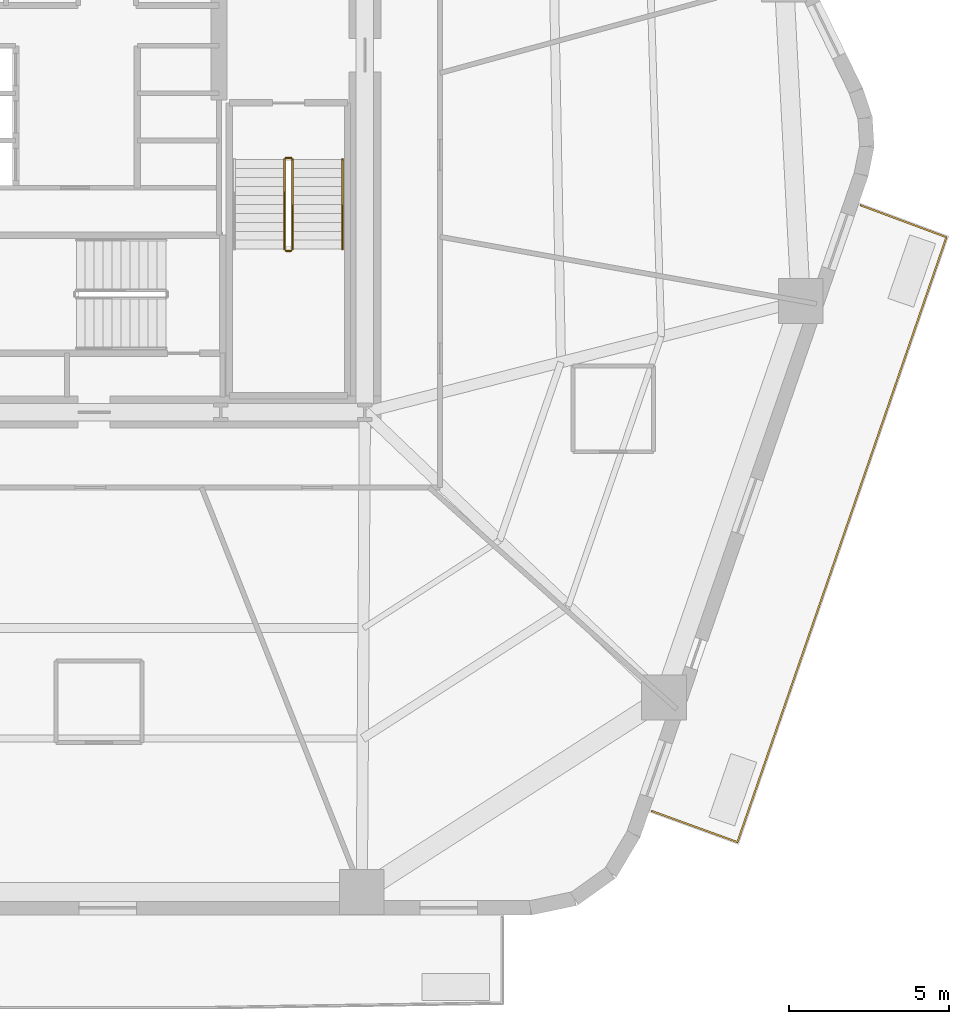
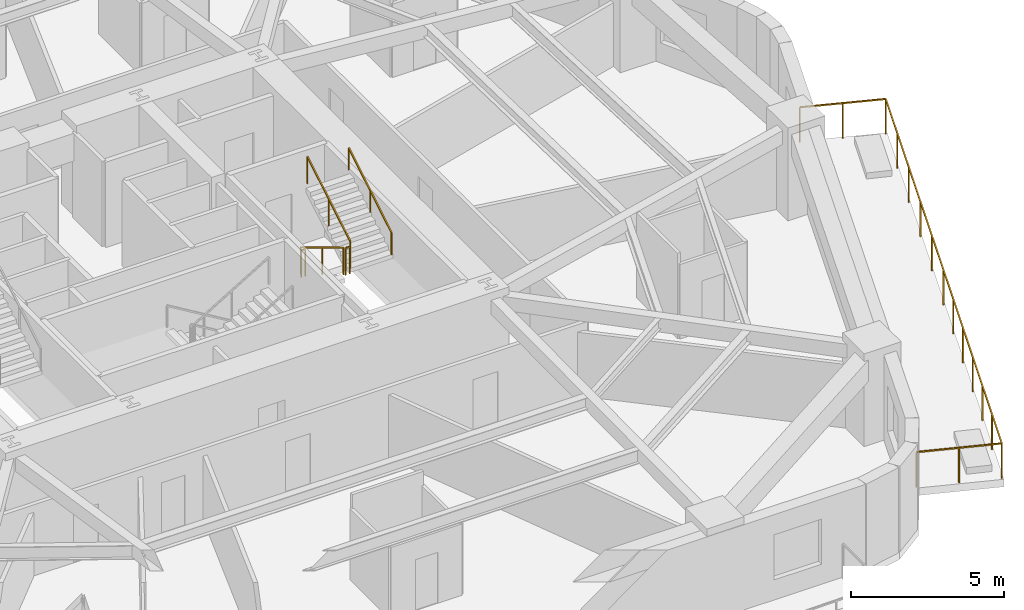
# One storey, part 9 of 10: 6 railings.
"""IFC4 building model written with IfcOpenShell, lengths in metres."""

from ifc_helpers import new_model, si_unit, direction, frame, origin, origin_2d, place, context, subcontext, project, spatial, rectangle, extrude, material, layer, layer_set, type_object, element, save


model = new_model("IFC4")

# Units and contexts
model_context = context("Model", 3, precision=1e-05, world=origin(), true_north=direction((0.0, 1.0)))
body_context = subcontext(model_context, "Body", "Model", "MODEL_VIEW")
ifc_project = project(units=[si_unit("LENGTHUNIT", "METRE"), si_unit("AREAUNIT", "SQUARE_METRE"), si_unit("VOLUMEUNIT", "CUBIC_METRE"), si_unit("PLANEANGLEUNIT", "RADIAN"), si_unit("MASSUNIT", "GRAM", prefix="KILO")], contexts=[model_context])

# Site, building, storey
site_placement = place(None, origin())
site = spatial("IfcSite", under=ifc_project, at=site_placement, CompositionType="ELEMENT")
building_placement = place(site_placement, origin())
building = spatial("IfcBuilding", under=site, at=building_placement, Name="Kilnhurst Terrace Hotel", CompositionType="ELEMENT")
storey_placement = place(building_placement, frame((0.0, 0.0, 74.89990234375)))
storey = spatial("IfcBuildingStorey", under=building, at=storey_placement, Name="L17", CompositionType="ELEMENT", Elevation=74.89990234375)

# Railings
ifc_material_1 = material(Name="Laminated SentryGlas and Stainless Steel AISI 316L Balustrade", Category="steel")
ifc_layer_1 = layer(ifc_material_1, 0.070068359375, Name="Laminated SentryGlas and Stainless Steel AISI 316L Balustrade")
ifc_layer_set_1 = layer_set([ifc_layer_1], Name="Laminated SentryGlas and Stainless Steel AISI 316L Balustrade")
railing_type_1 = type_object("IfcRailingType", Name="RLG-BAL-1420", PredefinedType="BALUSTRADE", material=ifc_layer_set_1)
railing_1_placement = place(storey_placement, frame((24.485107421875, -1.041748046875, 0.0)))
element("IfcRailing", 1, at=railing_1_placement, inside=storey, type_object=railing_type_1, Name="L17 Exterior Terrace Guardrail BAL-L1B.1", PredefinedType="BALUSTRADE", context=body_context, shape_type="SweptSolid", body=[
    extrude(rectangle(XDim=0.048095703125, YDim=0.048095703125, at=origin_2d()), frame((0.0, 0.0, 1.39599609375), z_axis=(0.937279097592, -0.348579823308, 0.0), x_axis=(0.348579823308, 0.937279097592, 0.0)), (0.0, 0.0, 1.0), 2.85205078125),
    extrude(rectangle(XDim=0.048095703125, YDim=0.048095703125, at=origin_2d()), frame((2.673095703125, -0.994140625, 1.39599609375), z_axis=(-0.326159116329, -0.945314884488, 0.0), x_axis=(0.945314884488, -0.326159116329, 0.0)), (0.0, 0.0, 1.0), 9.91650390625),
    extrude(rectangle(XDim=0.048095703125, YDim=0.048095703125, at=origin_2d()), frame((-0.561279296875, -10.368408203125, 1.39599609375), z_axis=(-0.326903959129, -0.945057565181, 0.0), x_axis=(0.945057565181, -0.326903959129, 0.0)), (0.0, 0.0, 1.0), 10.065673828125),
    extrude(rectangle(XDim=0.048095703125, YDim=0.048095703125, at=origin_2d()), frame((-3.851806640625, -19.881103515625, 1.39599609375), z_axis=(-0.939926315563, 0.341377388402, 0.0), x_axis=(-0.341377388402, -0.939926315563, 0.0)), (0.0, 0.0, 1.0), 2.84130859375),
    extrude(rectangle(XDim=0.0419921875, YDim=0.0419921875, at=origin_2d()), origin(), (0.0, 0.0, 1.0), 1.371826171875),
    extrude(rectangle(XDim=0.0419921875, YDim=0.0419921875, at=origin_2d()), frame((1.33642578125, -0.4970703125, 0.0)), (0.0, 0.0, 1.0), 1.371826171875),
    extrude(rectangle(XDim=0.0419921875, YDim=0.0419921875, at=origin_2d()), frame((2.673095703125, -0.994140625, 0.0)), (0.0, 0.0, 1.0), 1.371826171875),
    extrude(rectangle(XDim=0.0419921875, YDim=0.0419921875, at=origin_2d()), frame((2.026123046875, -2.868896484375, 0.0)), (0.0, 0.0, 1.0), 1.371826171875),
    extrude(rectangle(XDim=0.0419921875, YDim=0.0419921875, at=origin_2d()), frame((1.37939453125, -4.743896484375, 0.0)), (0.0, 0.0, 1.0), 1.371826171875),
    extrude(rectangle(XDim=0.0419921875, YDim=0.0419921875, at=origin_2d()), frame((0.732421875, -6.61865234375, 0.0)), (0.0, 0.0, 1.0), 1.371826171875),
    extrude(rectangle(XDim=0.0419921875, YDim=0.0419921875, at=origin_2d()), frame((0.085693359375, -8.49365234375, 0.0)), (0.0, 0.0, 1.0), 1.371826171875),
    extrude(rectangle(XDim=0.0419921875, YDim=0.0419921875, at=origin_2d()), frame((-0.561279296875, -10.368408203125, 0.0)), (0.0, 0.0, 1.0), 1.371826171875),
    extrude(rectangle(XDim=0.0419921875, YDim=0.0419921875, at=origin_2d()), frame((-1.109619140625, -11.953857421875, 0.0)), (0.0, 0.0, 1.0), 1.371826171875),
    extrude(rectangle(XDim=0.0419921875, YDim=0.0419921875, at=origin_2d()), frame((-1.658203125, -13.539306640625, 0.0)), (0.0, 0.0, 1.0), 1.371826171875),
    extrude(rectangle(XDim=0.0419921875, YDim=0.0419921875, at=origin_2d()), frame((-2.20654296875, -15.124755859375, 0.0)), (0.0, 0.0, 1.0), 1.371826171875),
    extrude(rectangle(XDim=0.0419921875, YDim=0.0419921875, at=origin_2d()), frame((-2.7548828125, -16.710205078125, 0.0)), (0.0, 0.0, 1.0), 1.371826171875),
    extrude(rectangle(XDim=0.0419921875, YDim=0.0419921875, at=origin_2d()), frame((-3.303466796875, -18.295654296875, 0.0)), (0.0, 0.0, 1.0), 1.371826171875),
    extrude(rectangle(XDim=0.0419921875, YDim=0.0419921875, at=origin_2d()), frame((-3.851806640625, -19.881103515625, 0.0)), (0.0, 0.0, 1.0), 1.371826171875),
    extrude(rectangle(XDim=0.0419921875, YDim=0.0419921875, at=origin_2d()), frame((-5.18701171875, -19.39599609375, 0.0)), (0.0, 0.0, 1.0), 1.371826171875),
    extrude(rectangle(XDim=0.0419921875, YDim=0.0419921875, at=origin_2d()), frame((-6.5224609375, -18.9111328125, 0.0)), (0.0, 0.0, 1.0), 1.371826171875),
])
ifc_material_2 = material(Name="Powder-Coated Steel ASTM A500 Grade B", Category="steel")
ifc_layer_2 = layer(ifc_material_2, 0.050048828125, Name="Powder-Coated Steel ASTM A500 Grade B")
ifc_layer_set_2 = layer_set([ifc_layer_2], Name="Powder-Coated Steel ASTM A500 Grade B")
railing_type_2 = type_object("IfcRailingType", Name="RLG-ST-GRD-1100", PredefinedType="GUARDRAIL", material=ifc_layer_set_2)
railing_2_placement = place(storey_placement, frame((6.489990234375, 0.389892578125, 0.168212890625)))
element("IfcRailing", 2, at=railing_2_placement, inside=storey, type_object=railing_type_2, Name="L17 ST-2 stair guard 1", PredefinedType="GUARDRAIL", context=body_context, shape_type="SweptSolid", body=[
    extrude(rectangle(XDim=0.048095703125, YDim=0.048095703125, at=origin_2d()), frame((0.0, 0.0, 1.076171875), z_axis=(0.0, -0.857222391501, 0.514946377315), x_axis=(1.0, 0.0, 0.0)), (0.0, 0.0, 1.0), 3.26611328125),
    extrude(rectangle(XDim=0.0419921875, YDim=0.0419921875, at=origin_2d()), origin(), (0.0, 0.0, 1.0), 1.052001953125),
    extrude(rectangle(XDim=0.0419921875, YDim=0.0419921875, at=origin_2d()), frame((0.0, -1.39990234375, 0.8408203125)), (0.0, 0.0, 1.0), 1.052001953125),
    extrude(rectangle(XDim=0.0419921875, YDim=0.0419921875, at=origin_2d()), frame((0.0, -2.7998046875, 1.681884765625)), (0.0, 0.0, 1.0), 1.052001953125),
])
railing_3_placement = place(storey_placement, frame((6.5400390625, -2.4599609375, 1.85009765625)))
element("IfcRailing", 3, at=railing_3_placement, inside=storey, type_object=railing_type_2, Name="L17 ST-2 stair guard 2", PredefinedType="GUARDRAIL", context=body_context, shape_type="SweptSolid", body=[
    extrude(rectangle(XDim=0.048095703125, YDim=0.048095703125, at=origin_2d()), frame((0.0, 0.0, 1.076171875), z_axis=(1.0, 0.0, 0.0), x_axis=(0.0, 1.0, 0.0)), (0.0, 0.0, 1.0), 0.14990234375),
    extrude(rectangle(XDim=0.0419921875, YDim=0.0419921875, at=origin_2d()), origin(), (0.0, 0.0, 1.0), 1.052001953125),
    extrude(rectangle(XDim=0.0419921875, YDim=0.0419921875, at=origin_2d()), frame((0.14990234375, 0.0, 0.0)), (0.0, 0.0, 1.0), 1.052001953125),
])
railing_4_placement = place(storey_placement, frame((6.739990234375, -2.409912109375, 2.018310546875)))
element("IfcRailing", 4, at=railing_4_placement, inside=storey, type_object=railing_type_2, Name="L17 ST-2 stair guard 3", PredefinedType="GUARDRAIL", context=body_context, shape_type="SweptSolid", body=[
    extrude(rectangle(XDim=0.048095703125, YDim=0.048095703125, at=origin_2d()), frame((0.0, 0.0, 1.076171875), z_axis=(0.0, 0.857222391501, 0.514946377315), x_axis=(-1.0, 0.0, 0.0)), (0.0, 0.0, 1.0), 3.26611328125),
    extrude(rectangle(XDim=0.0419921875, YDim=0.0419921875, at=origin_2d()), origin(), (0.0, 0.0, 1.0), 1.052001953125),
    extrude(rectangle(XDim=0.0419921875, YDim=0.0419921875, at=origin_2d()), frame((0.0, 1.39990234375, 0.8408203125)), (0.0, 0.0, 1.0), 1.052001953125),
    extrude(rectangle(XDim=0.0419921875, YDim=0.0419921875, at=origin_2d()), frame((0.0, 2.7998046875, 1.681884765625)), (0.0, 0.0, 1.0), 1.052001953125),
])
railing_5_placement = place(storey_placement, frame((6.5400390625, 0.43994140625, 0.0)))
element("IfcRailing", 5, at=railing_5_placement, inside=storey, type_object=railing_type_2, Name="L17 ST-2 stair guard 4", PredefinedType="GUARDRAIL", context=body_context, shape_type="SweptSolid", body=[
    extrude(rectangle(XDim=0.048095703125, YDim=0.048095703125, at=origin_2d()), frame((0.0, 0.0, 1.076171875), z_axis=(1.0, 0.0, 0.0), x_axis=(0.0, 1.0, 0.0)), (0.0, 0.0, 1.0), 0.14990234375),
    extrude(rectangle(XDim=0.0419921875, YDim=0.0419921875, at=origin_2d()), origin(), (0.0, 0.0, 1.0), 1.052001953125),
    extrude(rectangle(XDim=0.0419921875, YDim=0.0419921875, at=origin_2d()), frame((0.14990234375, 0.0, 0.0)), (0.0, 0.0, 1.0), 1.052001953125),
])
ifc_material_3 = material(Name="Brushed Stainless Steel AISI 304", Category="steel")
ifc_layer_3 = layer(ifc_material_3, 0.048095703125, Name="Brushed Stainless Steel AISI 304")
ifc_layer_set_3 = layer_set([ifc_layer_3], Name="Brushed Stainless Steel AISI 304")
railing_type_3 = type_object("IfcRailingType", Name="RLG-ST-HRL-900", PredefinedType="HANDRAIL", material=ifc_layer_set_3)
railing_6_placement = place(storey_placement, frame((8.300048828125, -2.409912109375, 2.018310546875)))
element("IfcRailing", 6, at=railing_6_placement, inside=storey, type_object=railing_type_3, Name="L17 ST-2 stair handrail 2", PredefinedType="HANDRAIL", context=body_context, shape_type="SweptSolid", body=[
    extrude(rectangle(XDim=0.048095703125, YDim=0.048095703125, at=origin_2d()), frame((0.0, 0.0, 0.8759765625), z_axis=(0.0, 0.857222391501, 0.514946377315), x_axis=(-1.0, 0.0, 0.0)), (0.0, 0.0, 1.0), 3.26611328125),
    extrude(rectangle(XDim=0.0419921875, YDim=0.0419921875, at=origin_2d()), origin(), (0.0, 0.0, 1.0), 0.851806640625),
    extrude(rectangle(XDim=0.0419921875, YDim=0.0419921875, at=origin_2d()), frame((0.0, 1.39990234375, 0.8408203125)), (0.0, 0.0, 1.0), 0.851806640625),
    extrude(rectangle(XDim=0.0419921875, YDim=0.0419921875, at=origin_2d()), frame((0.0, 2.7998046875, 1.681884765625)), (0.0, 0.0, 1.0), 0.851806640625),
])

save(model, "model.ifc")
